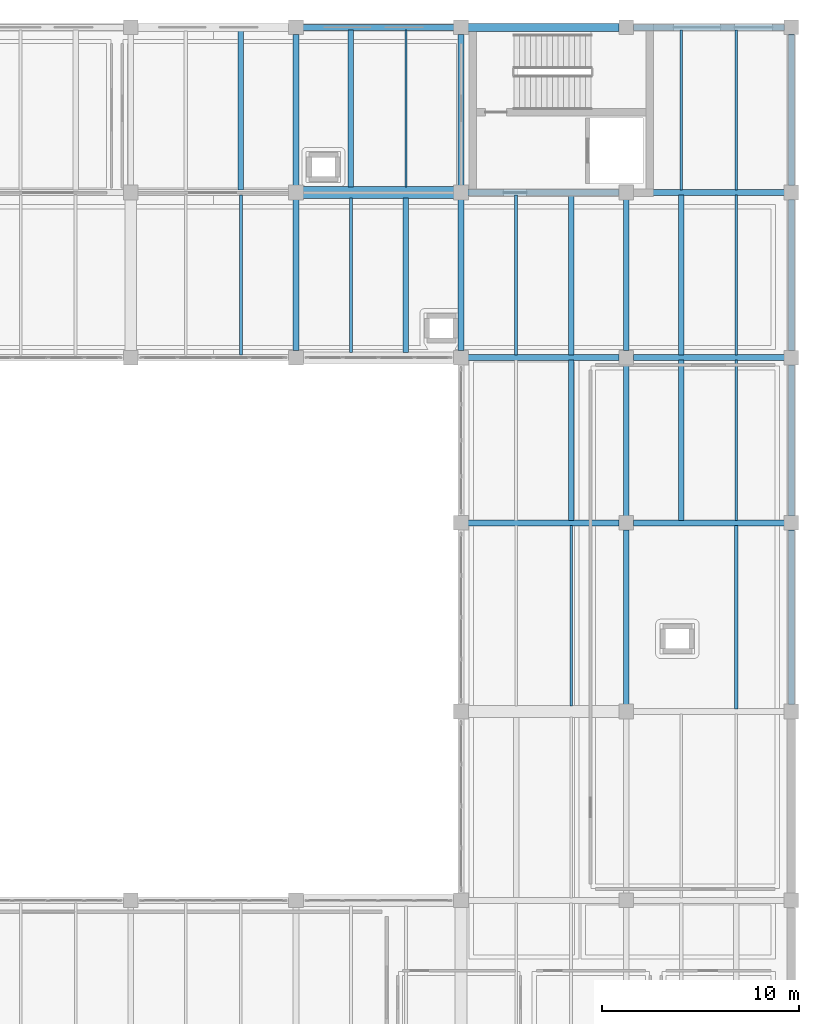
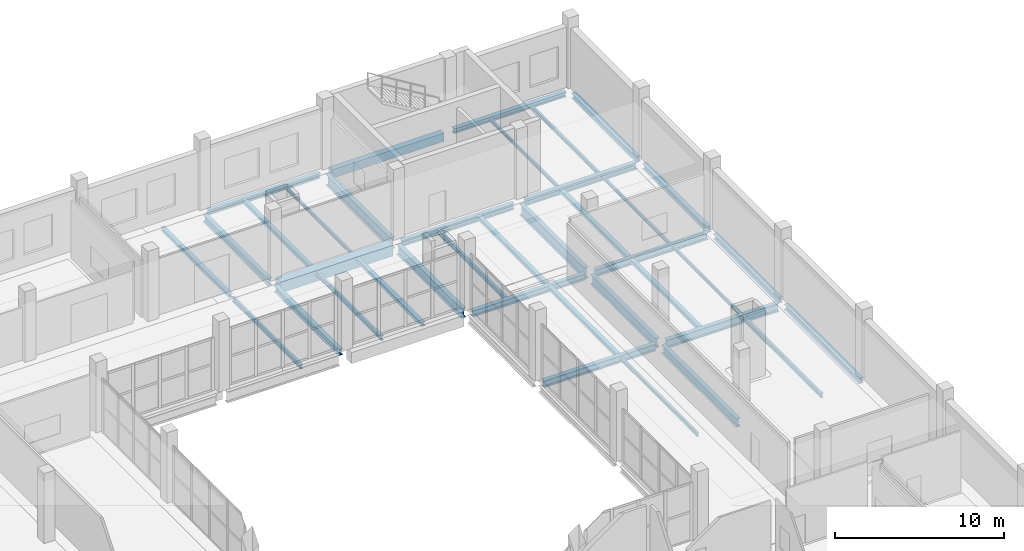
# One storey, part 48 of 77: 38 beams.
"""IFC4 building model written with IfcOpenShell, lengths in metres."""

from ifc_helpers import new_model, si_unit, direction, frame, origin, origin_2d, place, context, subcontext, project, spatial, rectangle, i_section, extrude, material, material_profile, profile_set, type_object, element, save


model = new_model("IFC4")

# Units and contexts
model_context = context("Model", 3, precision=1e-05, world=origin(), true_north=direction((0.0, 1.0)))
body_context = subcontext(model_context, "Body", "Model", "MODEL_VIEW")
ifc_project = project(units=[si_unit("LENGTHUNIT", "METRE"), si_unit("AREAUNIT", "SQUARE_METRE"), si_unit("VOLUMEUNIT", "CUBIC_METRE"), si_unit("PLANEANGLEUNIT", "RADIAN"), si_unit("MASSUNIT", "GRAM", prefix="KILO")], contexts=[model_context])

# Site, building, storey
site_placement = place(None, origin())
site = spatial("IfcSite", under=ifc_project, at=site_placement, CompositionType="ELEMENT")
building_placement = place(site_placement, origin())
building = spatial("IfcBuilding", under=site, at=building_placement, Name="Zulmaris Art Gallery", CompositionType="ELEMENT")
storey_placement = place(building_placement, frame((0.0, 0.0, 15.60009765625)))
storey = spatial("IfcBuildingStorey", under=building, at=storey_placement, Name="L03", CompositionType="ELEMENT", Elevation=15.60009765625)

# Beams
ifc_material_1 = material(Name="Steel S355J2", Category="steel")
ifc_material_profile_1 = material_profile(ifc_material_1, i_section(OverallWidth=0.300048828125, OverallDepth=0.43994140625, WebThickness=0.011474609375, FlangeThickness=0.02099609375, FilletRadius=0.027099609375, at=origin_2d()), Name="HEA 450")
ifc_profile_set_1 = profile_set([ifc_material_profile_1], Name="Steel S355J2")
beam_type_1 = type_object("IfcBeamType", Name="BEAM-BM10", PredefinedType="BEAM", material=ifc_profile_set_1)
for number, where, z_axis, x_axis, name in (
    (1, (183.9599609375, 58.800048828125, -0.6201171875), (1.0, 0.0, 0.0), (0.0, 1.0, 0.0), "L03 X-girder (183.6..192.0, y=58.8)"),
    (2, (183.9599609375, 67.199951171875, -0.6201171875), (1.0, 0.0, 0.0), (0.0, 1.0, 0.0), "L03 X-girder (183.6..192.0, y=67.2)"),
):
    element("IfcBeam", number, at=place(storey_placement, frame(where, z_axis=z_axis, x_axis=x_axis)), inside=storey, type_object=beam_type_1, Name=name, PredefinedType="BEAM", context=body_context, shape_type="SweptSolid", body=[
        extrude(i_section(OverallWidth=0.300048828125, OverallDepth=0.43994140625, WebThickness=0.011474609375, FlangeThickness=0.02099609375, FilletRadius=0.027099609375, at=origin_2d()), origin(), (0.0, 0.0, 1.0), 7.679931640625),
    ])
beam_1_placement = place(storey_placement, frame((175.199951171875, 59.159912109375, -0.6201171875), z_axis=(0.0, 1.0, 0.0), x_axis=(-1.0, 0.0, 0.0)))
element("IfcBeam", 3, at=beam_1_placement, inside=storey, type_object=beam_type_1, Name="L03 Y-girder (x=175.2, 58.8..67.2)", PredefinedType="BEAM", context=body_context, shape_type="SweptSolid", body=[
    extrude(i_section(OverallWidth=0.300048828125, OverallDepth=0.43994140625, WebThickness=0.011474609375, FlangeThickness=0.02099609375, FilletRadius=0.027099609375, at=origin_2d()), origin(), (0.0, 0.0, 1.0), 7.68017578125),
])
ifc_material_profile_2 = material_profile(ifc_material_1, i_section(OverallWidth=0.300048828125, OverallDepth=0.489990234375, WebThickness=0.011962890625, FlangeThickness=0.02294921875, FilletRadius=0.027099609375, at=origin_2d()), Name="HEA 500")
ifc_profile_set_2 = profile_set([ifc_material_profile_2], Name="Steel S355J2")
beam_type_2 = type_object("IfcBeamType", Name="BEAM-BM11", PredefinedType="BEAM", material=ifc_profile_set_2)
for number, where, z_axis, x_axis, name in (
    (4, (183.9599609375, 50.39990234375, -0.614990234375), (1.0, 0.0, 0.0), (0.0, 1.0, 0.0), "L03 X-girder (183.6..192.0, y=50.4)"),
    (5, (192.360107421875, 58.800048828125, -0.614990234375), (1.0, 0.0, 0.0), (0.0, 1.0, 0.0), "L03 X-girder (192.0..200.4, y=58.8)"),
    (6, (192.360107421875, 67.199951171875, -0.614990234375), (1.0, 0.0, 0.0), (0.0, 1.0, 0.0), "L03 X-girder (192.0..200.4, y=67.2)"),
    (7, (175.199951171875, 67.56005859375, -0.614990234375), (0.0, 1.0, 0.0), (-1.0, 0.0, 0.0), "L03 Y-girder (x=175.2, 67.2..75.6)"),
):
    element("IfcBeam", number, at=place(storey_placement, frame(where, z_axis=z_axis, x_axis=x_axis)), inside=storey, type_object=beam_type_2, Name=name, PredefinedType="BEAM", context=body_context, shape_type="SweptSolid", body=[
        extrude(i_section(OverallWidth=0.300048828125, OverallDepth=0.489990234375, WebThickness=0.011962890625, FlangeThickness=0.02294921875, FilletRadius=0.027099609375, at=origin_2d()), origin(), (0.0, 0.0, 1.0), 7.679931640625),
    ])
ifc_material_profile_3 = material_profile(ifc_material_1, i_section(OverallWidth=0.300048828125, OverallDepth=0.60009765625, WebThickness=0.015380859375, FlangeThickness=0.030029296875, FilletRadius=0.027099609375, at=origin_2d()), Name="HEB 600")
ifc_profile_set_3 = profile_set([ifc_material_profile_3], Name="Steel S355J2")
beam_type_3 = type_object("IfcBeamType", Name="BEAM-BM15", PredefinedType="BEAM", material=ifc_profile_set_3)
beam_2_placement = place(storey_placement, frame((192.360107421875, 50.39990234375, -0.670166015625), z_axis=(1.0, 0.0, 0.0), x_axis=(0.0, 1.0, 0.0)))
element("IfcBeam", 8, at=beam_2_placement, inside=storey, type_object=beam_type_3, Name="L03 X-girder (192.0..200.4, y=50.4)", PredefinedType="BEAM", context=body_context, shape_type="SweptSolid", body=[
    extrude(i_section(OverallWidth=0.300048828125, OverallDepth=0.60009765625, WebThickness=0.015380859375, FlangeThickness=0.030029296875, FilletRadius=0.027099609375, at=origin_2d()), origin(), (0.0, 0.0, 1.0), 7.679931640625),
])
beam_3_placement = place(storey_placement, frame((192.0, 41.159912109375, -0.670166015625), z_axis=(0.0, 1.0, 0.0), x_axis=(-1.0, 0.0, 0.0)))
element("IfcBeam", 9, at=beam_3_placement, inside=storey, type_object=beam_type_3, Name="L03 Y-girder (x=192.0, 40.8..50.4)", PredefinedType="BEAM", context=body_context, shape_type="SweptSolid", body=[
    extrude(i_section(OverallWidth=0.300048828125, OverallDepth=0.60009765625, WebThickness=0.015380859375, FlangeThickness=0.030029296875, FilletRadius=0.027099609375, at=origin_2d()), origin(), (0.0, 0.0, 1.0), 8.880126953125),
])
ifc_material_profile_4 = material_profile(ifc_material_1, i_section(OverallWidth=0.300048828125, OverallDepth=0.699951171875, WebThickness=0.01708984375, FlangeThickness=0.031982421875, FilletRadius=0.027099609375, at=origin_2d()), Name="HEB 700")
ifc_profile_set_4 = profile_set([ifc_material_profile_4], Name="Steel S355J2")
beam_type_4 = type_object("IfcBeamType", Name="BEAM-BM16", PredefinedType="BEAM", material=ifc_profile_set_4)
beam_4_placement = place(storey_placement, frame((183.60009765625, 59.159912109375, -0.72021484375), z_axis=(0.0, 1.0, 0.0), x_axis=(-1.0, 0.0, 0.0)))
element("IfcBeam", 10, at=beam_4_placement, inside=storey, type_object=beam_type_4, Name="L03 Y-girder (x=183.6, 58.8..67.2)", PredefinedType="BEAM", context=body_context, shape_type="SweptSolid", body=[
    extrude(i_section(OverallWidth=0.300048828125, OverallDepth=0.699951171875, WebThickness=0.01708984375, FlangeThickness=0.031982421875, FilletRadius=0.027099609375, at=origin_2d()), origin(), (0.0, 0.0, 1.0), 7.68017578125),
])
beam_5_placement = place(storey_placement, frame((192.0, 50.760009765625, -0.72021484375), z_axis=(0.0, 1.0, 0.0), x_axis=(-1.0, 0.0, 0.0)))
element("IfcBeam", 11, at=beam_5_placement, inside=storey, type_object=beam_type_4, Name="L03 Y-girder (x=192.0, 50.4..58.8)", PredefinedType="BEAM", context=body_context, shape_type="SweptSolid", body=[
    extrude(i_section(OverallWidth=0.300048828125, OverallDepth=0.699951171875, WebThickness=0.01708984375, FlangeThickness=0.031982421875, FilletRadius=0.027099609375, at=origin_2d()), origin(), (0.0, 0.0, 1.0), 7.679931640625),
])
ifc_material_profile_5 = material_profile(ifc_material_1, i_section(OverallWidth=0.300048828125, OverallDepth=0.800048828125, WebThickness=0.017578125, FlangeThickness=0.032958984375, FilletRadius=0.030029296875, at=origin_2d()), Name="HEB 800")
ifc_profile_set_5 = profile_set([ifc_material_profile_5], Name="Steel S355J2")
beam_type_5 = type_object("IfcBeamType", Name="BEAM-BM17", PredefinedType="BEAM", material=ifc_profile_set_5)
beam_6_placement = place(storey_placement, frame((183.60009765625, 67.56005859375, -0.77001953125), z_axis=(0.0, 1.0, 0.0), x_axis=(-1.0, 0.0, 0.0)))
element("IfcBeam", 12, at=beam_6_placement, inside=storey, type_object=beam_type_5, Name="L03 Y-girder (x=183.6, 67.2..75.6)", PredefinedType="BEAM", context=body_context, shape_type="SweptSolid", body=[
    extrude(i_section(OverallWidth=0.300048828125, OverallDepth=0.800048828125, WebThickness=0.017578125, FlangeThickness=0.032958984375, FilletRadius=0.030029296875, at=origin_2d()), origin(), (0.0, 0.0, 1.0), 7.679931640625),
])
beam_7_placement = place(storey_placement, frame((192.0, 59.159912109375, -0.77001953125), z_axis=(0.0, 1.0, 0.0), x_axis=(-1.0, 0.0, 0.0)))
element("IfcBeam", 13, at=beam_7_placement, inside=storey, type_object=beam_type_5, Name="L03 Y-girder (x=192.0, 58.8..67.2)", PredefinedType="BEAM", context=body_context, shape_type="SweptSolid", body=[
    extrude(i_section(OverallWidth=0.300048828125, OverallDepth=0.800048828125, WebThickness=0.017578125, FlangeThickness=0.032958984375, FilletRadius=0.030029296875, at=origin_2d()), origin(), (0.0, 0.0, 1.0), 7.68017578125),
])
ifc_material_2 = material(Name="Concrete C40/50", Category="concrete")
ifc_material_profile_6 = material_profile(ifc_material_2, rectangle(XDim=0.60009765625, YDim=0.800048828125, at=origin_2d()), Name="RC 600x800")
ifc_profile_set_6 = profile_set([ifc_material_profile_6], Name="Concrete C40/50")
beam_type_6 = type_object("IfcBeamType", Name="BEAM-BM27", PredefinedType="BEAM", material=ifc_profile_set_6)
beam_8_placement = place(storey_placement, frame((175.56005859375, 67.199951171875, -0.77001953125), z_axis=(1.0, 0.0, 0.0), x_axis=(0.0, 1.0, 0.0)))
element("IfcBeam", 14, at=beam_8_placement, inside=storey, type_object=beam_type_6, Name="L03 X-girder (175.2..183.6, y=67.2)", PredefinedType="BEAM", context=body_context, shape_type="SweptSolid", body=[
    extrude(rectangle(XDim=0.60009765625, YDim=0.800048828125, at=origin_2d()), origin(), (0.0, 0.0, 1.0), 7.679931640625),
])
ifc_material_profile_7 = material_profile(ifc_material_1, i_section(OverallWidth=0.1201171875, OverallDepth=0.239990234375, WebThickness=0.006103515625, FlangeThickness=0.009765625, FilletRadius=0.014892578125, at=origin_2d()), Name="IPE 240")
ifc_profile_set_7 = profile_set([ifc_material_profile_7], Name="Steel S355J2")
beam_type_7 = type_object("IfcBeamType", Name="BEAM-JS01", PredefinedType="JOIST", material=ifc_profile_set_7)
beam_9_placement = place(storey_placement, frame((180.800048828125, 67.47509765625, -0.489990234375), z_axis=(0.0, 1.0, 0.0), x_axis=(-1.0, 0.0, 0.0)))
element("IfcBeam", 15, at=beam_9_placement, inside=storey, type_object=beam_type_7, Name="L03 secondary joist at x=180.8", PredefinedType="JOIST", context=body_context, shape_type="SweptSolid", body=[
    extrude(i_section(OverallWidth=0.1201171875, OverallDepth=0.239990234375, WebThickness=0.006103515625, FlangeThickness=0.009765625, FilletRadius=0.014892578125, at=origin_2d()), origin(), (0.0, 0.0, 1.0), 8.0),
])
beam_10_placement = place(storey_placement, frame((197.60009765625, 50.52490234375, -0.489990234375), z_axis=(0.0, 1.0, 0.0), x_axis=(-1.0, 0.0, 0.0)))
element("IfcBeam", 16, at=beam_10_placement, inside=storey, type_object=beam_type_7, Name="L03 secondary joist at x=197.6", PredefinedType="JOIST", context=body_context, shape_type="SweptSolid", body=[
    extrude(i_section(OverallWidth=0.1201171875, OverallDepth=0.239990234375, WebThickness=0.006103515625, FlangeThickness=0.009765625, FilletRadius=0.014892578125, at=origin_2d()), origin(), (0.0, 0.0, 1.0), 8.150146484375),
])
beam_11_placement = place(storey_placement, frame((197.60009765625, 58.925048828125, -0.489990234375), z_axis=(0.0, 1.0, 0.0), x_axis=(-1.0, 0.0, 0.0)))
element("IfcBeam", 17, at=beam_11_placement, inside=storey, type_object=beam_type_7, Name="L03 secondary joist at x=197.6", PredefinedType="JOIST", context=body_context, shape_type="SweptSolid", body=[
    extrude(i_section(OverallWidth=0.1201171875, OverallDepth=0.239990234375, WebThickness=0.006103515625, FlangeThickness=0.009765625, FilletRadius=0.014892578125, at=origin_2d()), origin(), (0.0, 0.0, 1.0), 8.14990234375),
])
beam_12_placement = place(storey_placement, frame((194.800048828125, 67.324951171875, -0.489990234375), z_axis=(0.0, 1.0, 0.0), x_axis=(-1.0, 0.0, 0.0)))
element("IfcBeam", 18, at=beam_12_placement, inside=storey, type_object=beam_type_7, Name="L03 secondary joist at x=194.8", PredefinedType="JOIST", context=body_context, shape_type="SweptSolid", body=[
    extrude(i_section(OverallWidth=0.1201171875, OverallDepth=0.239990234375, WebThickness=0.006103515625, FlangeThickness=0.009765625, FilletRadius=0.014892578125, at=origin_2d()), origin(), (0.0, 0.0, 1.0), 8.150146484375),
])
ifc_material_profile_8 = material_profile(ifc_material_1, i_section(OverallWidth=0.135009765625, OverallDepth=0.27001953125, WebThickness=0.006591796875, FlangeThickness=0.01025390625, FilletRadius=0.014892578125, at=origin_2d()), Name="IPE 270")
ifc_profile_set_8 = profile_set([ifc_material_profile_8], Name="Steel S355J2")
beam_type_8 = type_object("IfcBeamType", Name="BEAM-JS02", PredefinedType="JOIST", material=ifc_profile_set_8)
beam_13_placement = place(storey_placement, frame((189.199951171875, 41.074951171875, -0.505126953125), z_axis=(0.0, 1.0, 0.0), x_axis=(-1.0, 0.0, 0.0)))
element("IfcBeam", 19, at=beam_13_placement, inside=storey, type_object=beam_type_8, Name="L03 secondary joist at x=189.2", PredefinedType="JOIST", context=body_context, shape_type="SweptSolid", body=[
    extrude(i_section(OverallWidth=0.135009765625, OverallDepth=0.27001953125, WebThickness=0.006591796875, FlangeThickness=0.01025390625, FilletRadius=0.014892578125, at=origin_2d()), origin(), (0.0, 0.0, 1.0), 9.199951171875),
])
beam_14_placement = place(storey_placement, frame((197.60009765625, 67.324951171875, -0.505126953125), z_axis=(0.0, 1.0, 0.0), x_axis=(-1.0, 0.0, 0.0)))
element("IfcBeam", 20, at=beam_14_placement, inside=storey, type_object=beam_type_8, Name="L03 secondary joist at x=197.6", PredefinedType="JOIST", context=body_context, shape_type="SweptSolid", body=[
    extrude(i_section(OverallWidth=0.135009765625, OverallDepth=0.27001953125, WebThickness=0.006591796875, FlangeThickness=0.01025390625, FilletRadius=0.014892578125, at=origin_2d()), origin(), (0.0, 0.0, 1.0), 8.150146484375),
])
ifc_material_profile_9 = material_profile(ifc_material_1, i_section(OverallWidth=0.159912109375, OverallDepth=0.330078125, WebThickness=0.007568359375, FlangeThickness=0.011474609375, FilletRadius=0.01806640625, at=origin_2d()), Name="IPE 330")
ifc_profile_set_9 = profile_set([ifc_material_profile_9], Name="Steel S355J2")
beam_type_9 = type_object("IfcBeamType", Name="BEAM-JS03", PredefinedType="JOIST", material=ifc_profile_set_9)
beam_15_placement = place(storey_placement, frame((172.39990234375, 58.925048828125, -0.53515625), z_axis=(0.0, 1.0, 0.0), x_axis=(-1.0, 0.0, 0.0)))
element("IfcBeam", 21, at=beam_15_placement, inside=storey, type_object=beam_type_9, Name="L03 secondary joist at x=172.4", PredefinedType="JOIST", context=body_context, shape_type="SweptSolid", body=[
    extrude(i_section(OverallWidth=0.159912109375, OverallDepth=0.330078125, WebThickness=0.007568359375, FlangeThickness=0.011474609375, FilletRadius=0.01806640625, at=origin_2d()), origin(), (0.0, 0.0, 1.0), 8.14990234375),
])
beam_16_placement = place(storey_placement, frame((178.0, 59.074951171875, -0.53515625), z_axis=(0.0, 1.0, 0.0), x_axis=(-1.0, 0.0, 0.0)))
element("IfcBeam", 22, at=beam_16_placement, inside=storey, type_object=beam_type_9, Name="L03 secondary joist at x=178.0", PredefinedType="JOIST", context=body_context, shape_type="SweptSolid", body=[
    extrude(i_section(OverallWidth=0.159912109375, OverallDepth=0.330078125, WebThickness=0.007568359375, FlangeThickness=0.011474609375, FilletRadius=0.01806640625, at=origin_2d()), origin(), (0.0, 0.0, 1.0), 7.85009765625),
])
beam_17_placement = place(storey_placement, frame((186.39990234375, 58.925048828125, -0.53515625), z_axis=(0.0, 1.0, 0.0), x_axis=(-1.0, 0.0, 0.0)))
element("IfcBeam", 23, at=beam_17_placement, inside=storey, type_object=beam_type_9, Name="L03 secondary joist at x=186.4", PredefinedType="JOIST", context=body_context, shape_type="SweptSolid", body=[
    extrude(i_section(OverallWidth=0.159912109375, OverallDepth=0.330078125, WebThickness=0.007568359375, FlangeThickness=0.011474609375, FilletRadius=0.01806640625, at=origin_2d()), origin(), (0.0, 0.0, 1.0), 8.14990234375),
])
beam_18_placement = place(storey_placement, frame((197.60009765625, 40.925048828125, -0.53515625), z_axis=(0.0, 1.0, 0.0), x_axis=(-1.0, 0.0, 0.0)))
element("IfcBeam", 24, at=beam_18_placement, inside=storey, type_object=beam_type_9, Name="L03 secondary joist at x=197.6", PredefinedType="JOIST", context=body_context, shape_type="SweptSolid", body=[
    extrude(i_section(OverallWidth=0.159912109375, OverallDepth=0.330078125, WebThickness=0.007568359375, FlangeThickness=0.011474609375, FilletRadius=0.01806640625, at=origin_2d()), origin(), (0.0, 0.0, 1.0), 9.349853515625),
])
ifc_material_profile_10 = material_profile(ifc_material_1, i_section(OverallWidth=0.280029296875, OverallDepth=0.27001953125, WebThickness=0.008056640625, FlangeThickness=0.012939453125, FilletRadius=0.02392578125, at=origin_2d()), Name="HEA 280")
ifc_profile_set_10 = profile_set([ifc_material_profile_10], Name="Steel S355J2")
beam_type_10 = type_object("IfcBeamType", Name="BEAM-JS04", PredefinedType="JOIST", material=ifc_profile_set_10)
beam_19_placement = place(storey_placement, frame((172.39990234375, 67.324951171875, -0.505126953125), z_axis=(0.0, 1.0, 0.0), x_axis=(-1.0, 0.0, 0.0)))
element("IfcBeam", 25, at=beam_19_placement, inside=storey, type_object=beam_type_10, Name="L03 secondary joist at x=172.4", PredefinedType="JOIST", context=body_context, shape_type="SweptSolid", body=[
    extrude(i_section(OverallWidth=0.280029296875, OverallDepth=0.27001953125, WebThickness=0.008056640625, FlangeThickness=0.012939453125, FilletRadius=0.02392578125, at=origin_2d()), origin(), (0.0, 0.0, 1.0), 8.10009765625),
])
beam_20_placement = place(storey_placement, frame((180.800048828125, 59.074951171875, -0.505126953125), z_axis=(0.0, 1.0, 0.0), x_axis=(-1.0, 0.0, 0.0)))
element("IfcBeam", 26, at=beam_20_placement, inside=storey, type_object=beam_type_10, Name="L03 secondary joist at x=180.8", PredefinedType="JOIST", context=body_context, shape_type="SweptSolid", body=[
    extrude(i_section(OverallWidth=0.280029296875, OverallDepth=0.27001953125, WebThickness=0.008056640625, FlangeThickness=0.012939453125, FilletRadius=0.02392578125, at=origin_2d()), origin(), (0.0, 0.0, 1.0), 7.85009765625),
])
beam_21_placement = place(storey_placement, frame((178.0, 67.47509765625, -0.505126953125), z_axis=(0.0, 1.0, 0.0), x_axis=(-1.0, 0.0, 0.0)))
element("IfcBeam", 27, at=beam_21_placement, inside=storey, type_object=beam_type_10, Name="L03 secondary joist at x=178.0", PredefinedType="JOIST", context=body_context, shape_type="SweptSolid", body=[
    extrude(i_section(OverallWidth=0.280029296875, OverallDepth=0.27001953125, WebThickness=0.008056640625, FlangeThickness=0.012939453125, FilletRadius=0.02392578125, at=origin_2d()), origin(), (0.0, 0.0, 1.0), 8.0),
])
beam_22_placement = place(storey_placement, frame((189.199951171875, 50.52490234375, -0.505126953125), z_axis=(0.0, 1.0, 0.0), x_axis=(-1.0, 0.0, 0.0)))
element("IfcBeam", 28, at=beam_22_placement, inside=storey, type_object=beam_type_10, Name="L03 secondary joist at x=189.2", PredefinedType="JOIST", context=body_context, shape_type="SweptSolid", body=[
    extrude(i_section(OverallWidth=0.280029296875, OverallDepth=0.27001953125, WebThickness=0.008056640625, FlangeThickness=0.012939453125, FilletRadius=0.02392578125, at=origin_2d()), origin(), (0.0, 0.0, 1.0), 8.150146484375),
])
beam_23_placement = place(storey_placement, frame((189.199951171875, 58.925048828125, -0.505126953125), z_axis=(0.0, 1.0, 0.0), x_axis=(-1.0, 0.0, 0.0)))
element("IfcBeam", 29, at=beam_23_placement, inside=storey, type_object=beam_type_10, Name="L03 secondary joist at x=189.2", PredefinedType="JOIST", context=body_context, shape_type="SweptSolid", body=[
    extrude(i_section(OverallWidth=0.280029296875, OverallDepth=0.27001953125, WebThickness=0.008056640625, FlangeThickness=0.012939453125, FilletRadius=0.02392578125, at=origin_2d()), origin(), (0.0, 0.0, 1.0), 8.14990234375),
])
beam_24_placement = place(storey_placement, frame((194.800048828125, 50.52490234375, -0.505126953125), z_axis=(0.0, 1.0, 0.0), x_axis=(-1.0, 0.0, 0.0)))
element("IfcBeam", 30, at=beam_24_placement, inside=storey, type_object=beam_type_10, Name="L03 secondary joist at x=194.8", PredefinedType="JOIST", context=body_context, shape_type="SweptSolid", body=[
    extrude(i_section(OverallWidth=0.280029296875, OverallDepth=0.27001953125, WebThickness=0.008056640625, FlangeThickness=0.012939453125, FilletRadius=0.02392578125, at=origin_2d()), origin(), (0.0, 0.0, 1.0), 8.150146484375),
])
beam_25_placement = place(storey_placement, frame((194.800048828125, 58.925048828125, -0.505126953125), z_axis=(0.0, 1.0, 0.0), x_axis=(-1.0, 0.0, 0.0)))
element("IfcBeam", 31, at=beam_25_placement, inside=storey, type_object=beam_type_10, Name="L03 secondary joist at x=194.8", PredefinedType="JOIST", context=body_context, shape_type="SweptSolid", body=[
    extrude(i_section(OverallWidth=0.280029296875, OverallDepth=0.27001953125, WebThickness=0.008056640625, FlangeThickness=0.012939453125, FilletRadius=0.02392578125, at=origin_2d()), origin(), (0.0, 0.0, 1.0), 8.14990234375),
])
ifc_material_profile_11 = material_profile(ifc_material_1, i_section(OverallWidth=0.300048828125, OverallDepth=0.35009765625, WebThickness=0.010009765625, FlangeThickness=0.017578125, FilletRadius=0.027099609375, at=origin_2d()), Name="HEA 360")
ifc_profile_set_11 = profile_set([ifc_material_profile_11], Name="Steel S355J2")
beam_type_11 = type_object("IfcBeamType", Name="BEAM-SP01", PredefinedType="SPANDREL", material=ifc_profile_set_11)
for number, where, z_axis, x_axis, name in (
    (32, (175.56005859375, 75.60009765625, -0.545166015625), (1.0, 0.0, 0.0), (0.0, 1.0, 0.0), "L03 X-girder (175.2..183.6, y=75.6)"),
    (33, (192.360107421875, 75.60009765625, -0.545166015625), (1.0, 0.0, 0.0), (0.0, 1.0, 0.0), "L03 X-girder (192.0..200.4, y=75.6)"),
):
    element("IfcBeam", number, at=place(storey_placement, frame(where, z_axis=z_axis, x_axis=x_axis)), inside=storey, type_object=beam_type_11, Name=name, PredefinedType="SPANDREL", context=body_context, shape_type="SweptSolid", body=[
        extrude(i_section(OverallWidth=0.300048828125, OverallDepth=0.35009765625, WebThickness=0.010009765625, FlangeThickness=0.017578125, FilletRadius=0.027099609375, at=origin_2d()), origin(), (0.0, 0.0, 1.0), 7.679931640625),
    ])
ifc_material_profile_12 = material_profile(ifc_material_1, i_section(OverallWidth=0.300048828125, OverallDepth=0.39990234375, WebThickness=0.013427734375, FlangeThickness=0.02392578125, FilletRadius=0.027099609375, at=origin_2d()), Name="HEB 400")
ifc_profile_set_12 = profile_set([ifc_material_profile_12], Name="Steel S355J2")
beam_type_12 = type_object("IfcBeamType", Name="BEAM-SP02", PredefinedType="SPANDREL", material=ifc_profile_set_12)
beam_26_placement = place(storey_placement, frame((200.39990234375, 41.159912109375, -0.570068359375), z_axis=(0.0, 1.0, 0.0), x_axis=(-1.0, 0.0, 0.0)))
element("IfcBeam", 34, at=beam_26_placement, inside=storey, type_object=beam_type_12, Name="L03 Y-girder (x=200.4, 40.8..50.4)", PredefinedType="SPANDREL", context=body_context, shape_type="SweptSolid", body=[
    extrude(i_section(OverallWidth=0.300048828125, OverallDepth=0.39990234375, WebThickness=0.013427734375, FlangeThickness=0.02392578125, FilletRadius=0.027099609375, at=origin_2d()), origin(), (0.0, 0.0, 1.0), 8.880126953125),
])
beam_27_placement = place(storey_placement, frame((200.39990234375, 50.760009765625, -0.570068359375), z_axis=(0.0, 1.0, 0.0), x_axis=(-1.0, 0.0, 0.0)))
element("IfcBeam", 35, at=beam_27_placement, inside=storey, type_object=beam_type_12, Name="L03 Y-girder (x=200.4, 50.4..58.8)", PredefinedType="SPANDREL", context=body_context, shape_type="SweptSolid", body=[
    extrude(i_section(OverallWidth=0.300048828125, OverallDepth=0.39990234375, WebThickness=0.013427734375, FlangeThickness=0.02392578125, FilletRadius=0.027099609375, at=origin_2d()), origin(), (0.0, 0.0, 1.0), 7.679931640625),
])
beam_28_placement = place(storey_placement, frame((200.39990234375, 59.159912109375, -0.570068359375), z_axis=(0.0, 1.0, 0.0), x_axis=(-1.0, 0.0, 0.0)))
element("IfcBeam", 36, at=beam_28_placement, inside=storey, type_object=beam_type_12, Name="L03 Y-girder (x=200.4, 58.8..67.2)", PredefinedType="SPANDREL", context=body_context, shape_type="SweptSolid", body=[
    extrude(i_section(OverallWidth=0.300048828125, OverallDepth=0.39990234375, WebThickness=0.013427734375, FlangeThickness=0.02392578125, FilletRadius=0.027099609375, at=origin_2d()), origin(), (0.0, 0.0, 1.0), 7.68017578125),
])
beam_29_placement = place(storey_placement, frame((200.39990234375, 67.56005859375, -0.570068359375), z_axis=(0.0, 1.0, 0.0), x_axis=(-1.0, 0.0, 0.0)))
element("IfcBeam", 37, at=beam_29_placement, inside=storey, type_object=beam_type_12, Name="L03 Y-girder (x=200.4, 67.2..75.6)", PredefinedType="SPANDREL", context=body_context, shape_type="SweptSolid", body=[
    extrude(i_section(OverallWidth=0.300048828125, OverallDepth=0.39990234375, WebThickness=0.013427734375, FlangeThickness=0.02392578125, FilletRadius=0.027099609375, at=origin_2d()), origin(), (0.0, 0.0, 1.0), 7.679931640625),
])
ifc_material_profile_13 = material_profile(ifc_material_2, rectangle(XDim=0.39990234375, YDim=0.60009765625, at=origin_2d()), Name="RC 400x600")
ifc_profile_set_13 = profile_set([ifc_material_profile_13], Name="Concrete C40/50")
beam_type_13 = type_object("IfcBeamType", Name="BEAM-SP03", PredefinedType="SPANDREL", material=ifc_profile_set_13)
beam_30_placement = place(storey_placement, frame((183.9599609375, 75.60009765625, -0.670166015625), z_axis=(1.0, 0.0, 0.0), x_axis=(0.0, 1.0, 0.0)))
element("IfcBeam", 38, at=beam_30_placement, inside=storey, type_object=beam_type_13, Name="L03 X-girder (183.6..192.0, y=75.6)", PredefinedType="SPANDREL", context=body_context, shape_type="SweptSolid", body=[
    extrude(rectangle(XDim=0.39990234375, YDim=0.60009765625, at=origin_2d()), origin(), (0.0, 0.0, 1.0), 7.679931640625),
])

save(model, "model.ifc")
